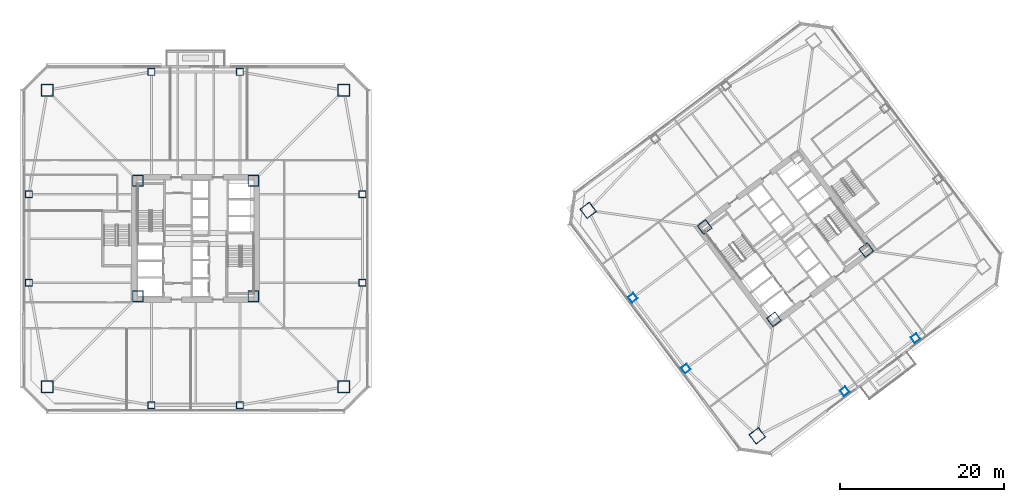
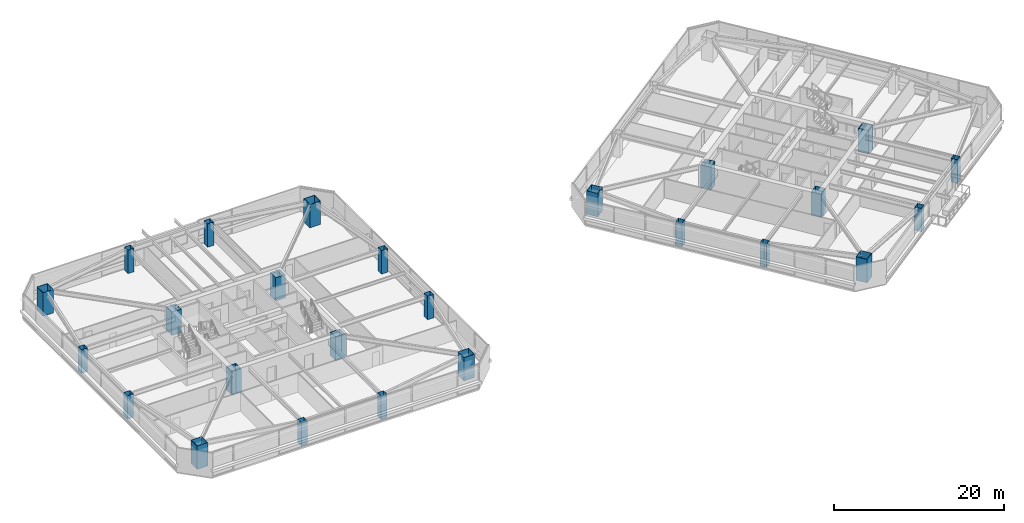
# One storey, part 1 of 48: 25 columns.
"""IFC4 building model written with IfcOpenShell, lengths in metres."""

from ifc_helpers import new_model, si_unit, direction, frame, origin, origin_2d, place, context, subcontext, project, spatial, hollow_rectangle, extrude, material, material_profile, profile_set, type_object, element, save


model = new_model("IFC4")

# Units and contexts
model_context = context("Model", 3, precision=1e-05, world=origin(), true_north=direction((0.0, 1.0)))
body_context = subcontext(model_context, "Body", "Model", "MODEL_VIEW")
ifc_project = project(units=[si_unit("LENGTHUNIT", "METRE"), si_unit("AREAUNIT", "SQUARE_METRE"), si_unit("VOLUMEUNIT", "CUBIC_METRE"), si_unit("PLANEANGLEUNIT", "RADIAN"), si_unit("MASSUNIT", "GRAM", prefix="KILO")], contexts=[model_context])

# Site, building, storey
site_placement = place(None, origin())
site = spatial("IfcSite", under=ifc_project, at=site_placement, CompositionType="ELEMENT")
building_placement = place(site_placement, origin())
building = spatial("IfcBuilding", under=site, at=building_placement, Name="Tashvorn Skyway Center", CompositionType="ELEMENT")
storey_placement = place(building_placement, frame((0.0, 0.0, 77.85009765625)))
storey = spatial("IfcBuildingStorey", under=building, at=storey_placement, Name="L20", CompositionType="ELEMENT", Elevation=77.85009765625)

# Columns
ifc_material = material(Name="Steel ASTM A572 Grade 50", Category="steel")
ifc_material_profile_1 = material_profile(ifc_material, hollow_rectangle(XDim=1.300048828125, YDim=1.300048828125, WallThickness=0.050048828125, at=origin_2d()), Name="BOX1300x1300x50")
ifc_profile_set_1 = profile_set([ifc_material_profile_1], Name="Steel ASTM A572 Grade 50")
column_type_1 = type_object("IfcColumnType", Name="COL-BOX1300x1300x50", PredefinedType="COLUMN", material=ifc_profile_set_1)
for number, where, z_axis, x_axis, name in (
    (1, (34.949951171875, 24.949951171875, 0.0), (0.0, 0.0, 1.0), (1.0, 0.0, 0.0), "Tower 1 L20 Core Corner Column CC-SW"),
    (2, (49.050048828125, 24.949951171875, 0.0), (0.0, 0.0, 1.0), (1.0, 0.0, 0.0), "Tower 1 L20 Core Corner Column CC-SE"),
    (3, (49.050048828125, 39.050048828125, 0.0), (0.0, 0.0, 1.0), (1.0, 0.0, 0.0), "Tower 1 L20 Core Corner Column CC-NE"),
    (4, (34.949951171875, 39.050048828125, 0.0), (0.0, 0.0, 1.0), (1.0, 0.0, 0.0), "Tower 1 L20 Core Corner Column CC-NW"),
    (5, (112.590087890625, 22.1298828125, 0.0), (0.0, 0.0, 1.0), (0.799999996291, 0.600000004945, 0.0), "Tower 2 L20 Core Corner Column CC-SW"),
    (6, (123.8701171875, 30.590087890625, 0.0), (0.0, 0.0, 1.0), (0.799999996291, 0.600000004945, 0.0), "Tower 2 L20 Core Corner Column CC-SE"),
    (7, (104.1298828125, 33.409912109375, 0.0), (0.0, 0.0, 1.0), (0.799999996291, 0.600000004945, 0.0), "Tower 2 L20 Core Corner Column CC-NW"),
):
    element("IfcColumn", number, at=place(storey_placement, frame(where, z_axis=z_axis, x_axis=x_axis)), inside=storey, type_object=column_type_1, Name=name, PredefinedType="COLUMN", context=body_context, shape_type="SweptSolid", body=[
        extrude(hollow_rectangle(XDim=1.300048828125, YDim=1.300048828125, WallThickness=0.050048828125, at=origin_2d()), origin(), (0.0, 0.0, 1.0), 3.349853515625),
    ])
ifc_material_profile_2 = material_profile(ifc_material, hollow_rectangle(XDim=1.449951171875, YDim=1.449951171875, WallThickness=0.054931640625, at=origin_2d()), Name="BOX1450x1450x55")
ifc_profile_set_2 = profile_set([ifc_material_profile_2], Name="Steel ASTM A572 Grade 50")
column_type_2 = type_object("IfcColumnType", Name="COL-BOX1450x1450x55", PredefinedType="COLUMN", material=ifc_profile_set_2)
for number, where, z_axis, x_axis, name in (
    (8, (23.89990234375, 13.89990234375, 0.0), (0.0, 0.0, 1.0), (1.0, 0.0, 0.0), "Tower 1 L20 Mega-Column MC-SW"),
    (9, (60.10009765625, 13.89990234375, 0.0), (0.0, 0.0, 1.0), (1.0, 0.0, 0.0), "Tower 1 L20 Mega-Column MC-SE"),
    (10, (60.10009765625, 50.10009765625, 0.0), (0.0, 0.0, 1.0), (1.0, 0.0, 0.0), "Tower 1 L20 Mega-Column MC-NE"),
    (11, (23.89990234375, 50.10009765625, 0.0), (0.0, 0.0, 1.0), (1.0, 0.0, 0.0), "Tower 1 L20 Mega-Column MC-NW"),
    (12, (110.56005859375, 7.919921875, 0.0), (0.0, 0.0, 1.0), (0.799999996291, 0.600000004945, 0.0), "Tower 2 L20 Mega-Column MC-SW"),
    (13, (89.919921875, 35.43994140625, 0.0), (0.0, 0.0, 1.0), (0.799999996291, 0.600000004945, 0.0), "Tower 2 L20 Mega-Column MC-NW"),
):
    element("IfcColumn", number, at=place(storey_placement, frame(where, z_axis=z_axis, x_axis=x_axis)), inside=storey, type_object=column_type_2, Name=name, PredefinedType="COLUMN", context=body_context, shape_type="SweptSolid", body=[
        extrude(hollow_rectangle(XDim=1.449951171875, YDim=1.449951171875, WallThickness=0.054931640625, at=origin_2d()), origin(), (0.0, 0.0, 1.0), 3.349853515625),
    ])
ifc_material_profile_3 = material_profile(ifc_material, hollow_rectangle(XDim=0.85009765625, YDim=0.85009765625, WallThickness=0.034912109375, at=origin_2d()), Name="BOX850x850x35")
ifc_profile_set_3 = profile_set([ifc_material_profile_3], Name="Steel ASTM A572 Grade 50")
column_type_3 = type_object("IfcColumnType", Name="COL-BOX850x850x35", PredefinedType="COLUMN", material=ifc_profile_set_3)
for number, where, z_axis, x_axis, name in (
    (14, (36.60009765625, 11.64990234375, 0.0), (0.0, 0.0, 1.0), (1.0, 0.0, 0.0), "Tower 1 L20 Perimeter Column FC-S1"),
    (15, (47.39990234375, 11.64990234375, 0.0), (0.0, 0.0, 1.0), (1.0, 0.0, 0.0), "Tower 1 L20 Perimeter Column FC-S2"),
    (16, (62.35009765625, 26.60009765625, 0.0), (0.0, 0.0, 1.0), (1.0, 0.0, 0.0), "Tower 1 L20 Perimeter Column FC-E1"),
    (17, (62.35009765625, 37.39990234375, 0.0), (0.0, 0.0, 1.0), (1.0, 0.0, 0.0), "Tower 1 L20 Perimeter Column FC-E2"),
    (18, (47.39990234375, 52.35009765625, 0.0), (0.0, 0.0, 1.0), (1.0, 0.0, 0.0), "Tower 1 L20 Perimeter Column FC-N1"),
    (19, (36.60009765625, 52.35009765625, 0.0), (0.0, 0.0, 1.0), (1.0, 0.0, 0.0), "Tower 1 L20 Perimeter Column FC-N2"),
    (20, (21.64990234375, 37.39990234375, 0.0), (0.0, 0.0, 1.0), (1.0, 0.0, 0.0), "Tower 1 L20 Perimeter Column FC-W1"),
    (21, (21.64990234375, 26.60009765625, 0.0), (0.0, 0.0, 1.0), (1.0, 0.0, 0.0), "Tower 1 L20 Perimeter Column FC-W2"),
    (22, (121.22998046875, 13.360107421875, 0.0), (0.0, 0.0, 1.0), (0.799999996291, 0.600000004945, 0.0), "Tower 2 L20 Perimeter Column FC-S1"),
    (23, (129.8701171875, 19.840087890625, 0.0), (0.0, 0.0, 1.0), (0.799999996291, 0.600000004945, 0.0), "Tower 2 L20 Perimeter Column FC-S2"),
    (24, (95.360107421875, 24.77001953125, 0.0), (0.0, 0.0, 1.0), (0.799999996291, 0.600000004945, 0.0), "Tower 2 L20 Perimeter Column FC-W1"),
    (25, (101.840087890625, 16.1298828125, 0.0), (0.0, 0.0, 1.0), (0.799999996291, 0.600000004945, 0.0), "Tower 2 L20 Perimeter Column FC-W2"),
):
    element("IfcColumn", number, at=place(storey_placement, frame(where, z_axis=z_axis, x_axis=x_axis)), inside=storey, type_object=column_type_3, Name=name, PredefinedType="COLUMN", context=body_context, shape_type="SweptSolid", body=[
        extrude(hollow_rectangle(XDim=0.85009765625, YDim=0.85009765625, WallThickness=0.034912109375, at=origin_2d()), origin(), (0.0, 0.0, 1.0), 3.349853515625),
    ])

save(model, "model.ifc")
